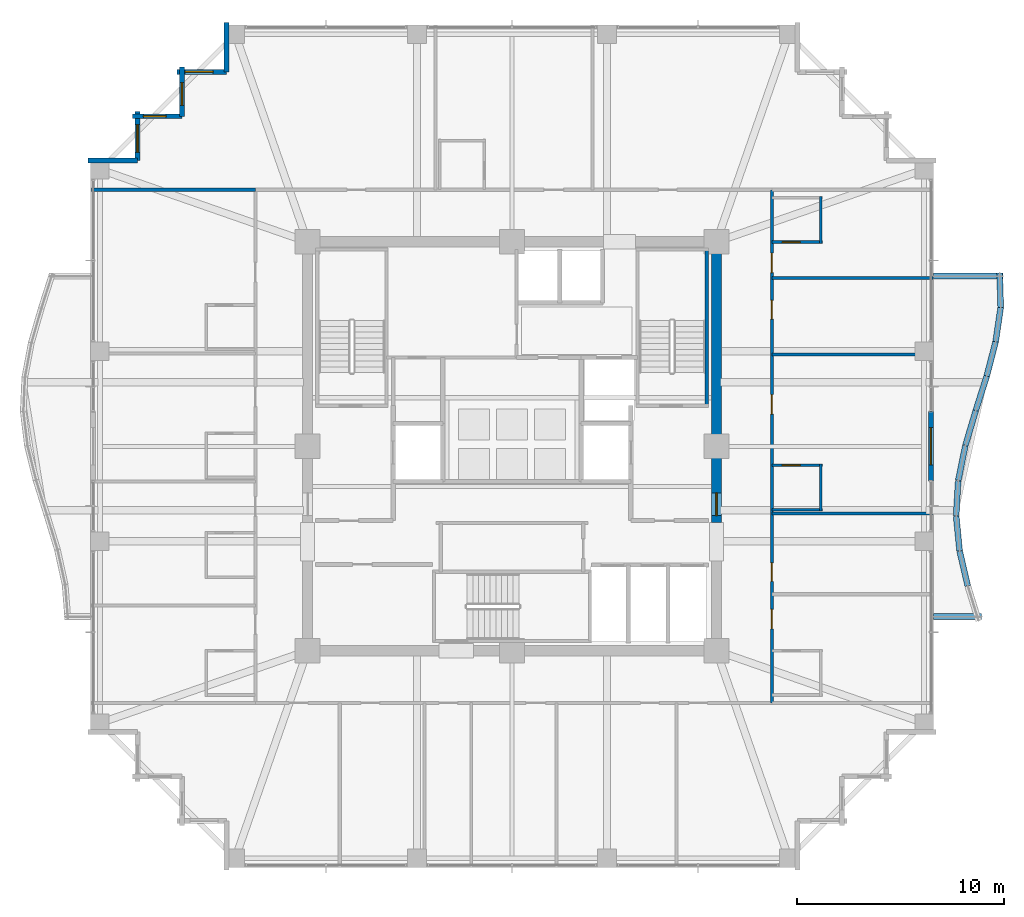
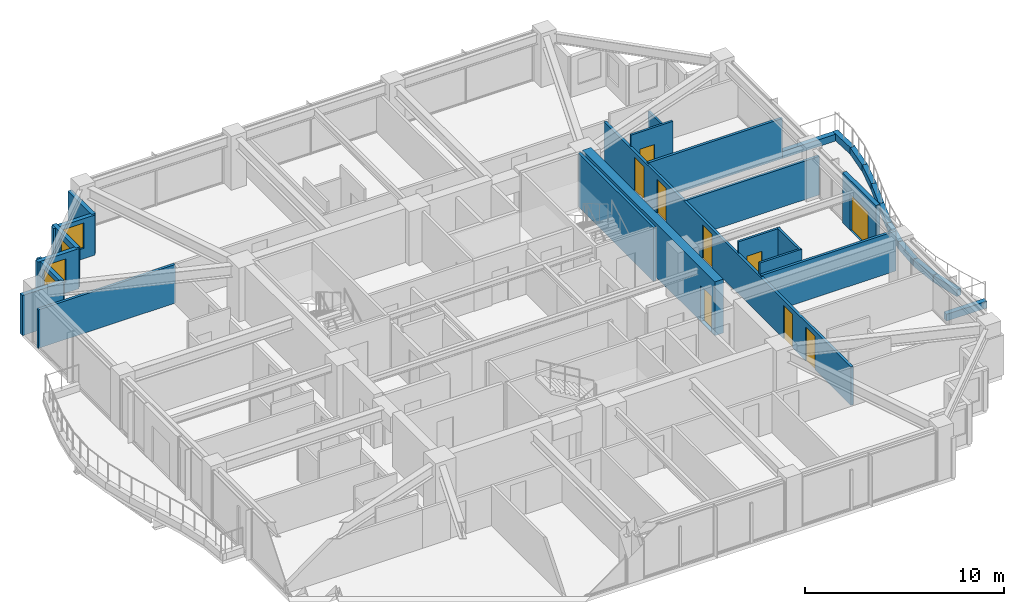
# One storey, part 31 of 34: 30 walls, 9 doors, 4 windows, 13 openings.
"""IFC4 building model written with IfcOpenShell, lengths in metres."""

from ifc_helpers import new_model, si_unit, direction, frame, frame_2d, origin, place, context, subcontext, project, spatial, rectangle, extrude, material, layer, layer_set, type_object, element, fill, save


model = new_model("IFC4")

# Units and contexts
model_context = context("Model", 3, precision=1e-05, world=origin(), true_north=direction((0.0, 1.0)))
body_context = subcontext(model_context, "Body", "Model", "MODEL_VIEW")
ifc_project = project(units=[si_unit("LENGTHUNIT", "METRE"), si_unit("AREAUNIT", "SQUARE_METRE"), si_unit("VOLUMEUNIT", "CUBIC_METRE"), si_unit("PLANEANGLEUNIT", "RADIAN"), si_unit("MASSUNIT", "GRAM", prefix="KILO")], contexts=[model_context])

# Site, building, storey
site_placement = place(None, origin())
site = spatial("IfcSite", under=ifc_project, at=site_placement, CompositionType="ELEMENT")
building_placement = place(site_placement, origin())
building = spatial("IfcBuilding", under=site, at=building_placement, Name="Kolvaren Belvedere", CompositionType="ELEMENT")
storey_placement = place(building_placement, frame((0.0, 0.0, 189.89990234375)))
storey = spatial("IfcBuildingStorey", under=building, at=storey_placement, Name="L55", CompositionType="ELEMENT", Elevation=189.89990234375)

# Wall, opening, door
ifc_material_1 = material(Name="Concrete C50/60", Category="concrete")
ifc_layer_1 = layer(ifc_material_1, 0.5)
ifc_layer_set_1 = layer_set([ifc_layer_1], Name="Concrete C50/60")
wall_type_1 = type_object("IfcWallType", Name="CW-CORE-500", PredefinedType="SHEAR", material=ifc_layer_set_1)
wall_1_placement = place(storey_placement, frame((9.89990234375, -3.699951171875, 0.0), z_axis=(0.0, 0.0, 1.0), x_axis=(0.0, 1.0, 0.0)))
wall_1 = element("IfcWall", 1, at=wall_1_placement, inside=storey, type_object=wall_type_1, Name="L55 East Core Shear Wall 2", PredefinedType="SHEAR", context=body_context, shape_type="SweptSolid", body=[
    extrude(rectangle(XDim=13.349853515625, YDim=0.5, at=frame_2d((6.6748046875, 0.0))), origin(), (0.0, 0.0, 1.0), 3.300048828125),
])
opening_1_placement = place(wall_1_placement, frame((0.35009765625, 0.0, 0.0)))
opening_1 = element("IfcOpeningElement", 2, at=opening_1_placement, cuts=wall_1, Name="Opening D-FD90", PredefinedType="OPENING", context=body_context, shape_type="SweptSolid", body=[
    extrude(rectangle(XDim=1.10009765625, YDim=2.199951171875, at=frame_2d((0.550048828125, 1.10009765625))), frame((0.0, 0.260009765625, 0.0), z_axis=(0.0, -1.0, 0.0), x_axis=(1.0, 0.0, 0.0)), (0.0, 0.0, 1.0), 0.52001953125),
])
ifc_material_2 = material(Name="Painted hollow stainless steel", Category="steel")
door_type_1 = type_object("IfcDoorType", Name="DR-FD90-1100", OperationType="NOTDEFINED", PredefinedType="DOOR", material=ifc_material_2)
door_1_placement = place(opening_1_placement, origin())
door_1 = element("IfcDoor", 3, at=door_1_placement, inside=storey, type_object=door_type_1, Name="L55 East Firefighting Lobby Fire Door", OperationType="SINGLE_SWING_RIGHT", OverallHeight=2.199951171875, OverallWidth=1.10009765625, PredefinedType="DOOR", context=body_context, shape_type="SweptSolid", body=[
    extrude(rectangle(XDim=1.10009765625, YDim=2.199951171875, at=frame_2d((0.550048828125, 1.10009765625))), frame((0.0, 0.02490234375, 0.0), z_axis=(0.0, -1.0, 0.0), x_axis=(1.0, 0.0, 0.0)), (0.0, 0.0, 1.0), 0.050048828125),
])
fill(opening_1, door_1)

# Wall
ifc_material_3 = material(Name="Concrete C50/60", Category="concrete")
ifc_layer_2 = layer(ifc_material_3, 0.159912109375)
ifc_layer_set_2 = layer_set([ifc_layer_2], Name="Concrete C50/60")
wall_type_2 = type_object("IfcWallType", Name="CW-STAIR-160", PredefinedType="SHEAR", material=ifc_layer_set_2)
wall_2_placement = place(storey_placement, frame((9.429931640625, 1.969970703125, 0.0), z_axis=(0.0, 0.0, 1.0), x_axis=(0.0, 1.0, 0.0)))
element("IfcWall", 4, at=wall_2_placement, inside=storey, type_object=wall_type_2, Name="L55 Stair ST-2 East Shear Wall", PredefinedType="SHEAR", context=body_context, shape_type="SweptSolid", body=[
    extrude(rectangle(XDim=7.56005859375, YDim=0.159912109375, at=frame_2d((3.780029296875, 0.0))), origin(), (0.0, 0.0, 1.0), 3.300048828125),
])

# Wall, openings, doors
ifc_material_4 = material(Name="Gypsum fire-rated partition assembly", Category="gypsum")
ifc_layer_3 = layer(ifc_material_4, 0.14990234375)
ifc_layer_set_3 = layer_set([ifc_layer_3], Name="Gypsum fire-rated partition assembly")
wall_type_3 = type_object("IfcWallType", Name="WL-CORR-150", PredefinedType="PARTITIONING", material=ifc_layer_set_3)
wall_3_placement = place(storey_placement, frame((12.580078125, -12.419921875, 0.0), z_axis=(0.0, 0.0, 1.0), x_axis=(0.0, 1.0, 0.0)))
wall_3 = element("IfcWall", 5, at=wall_3_placement, inside=storey, type_object=wall_type_3, Name="L55 East Corridor Wall", PredefinedType="PARTITIONING", context=body_context, shape_type="SweptSolid", body=[
    extrude(rectangle(XDim=24.83984375, YDim=0.14990234375, at=frame_2d((12.419921875, 0.0))), origin(), (0.0, 0.0, 1.0), 2.369140625),
])
opening_2_placement = place(wall_3_placement, frame((3.581298828125, 0.0, 0.0)))
opening_2 = element("IfcOpeningElement", 6, at=opening_2_placement, cuts=wall_3, Name="Opening D-FD60", PredefinedType="OPENING", context=body_context, shape_type="SweptSolid", body=[
    extrude(rectangle(XDim=0.949951171875, YDim=2.06005859375, at=frame_2d((0.47509765625, 1.030029296875))), frame((0.0, 0.0849609375, 0.0), z_axis=(0.0, -1.0, 0.0), x_axis=(1.0, 0.0, 0.0)), (0.0, 0.0, 1.0), 0.169921875),
])
opening_3_placement = place(wall_3_placement, frame((5.876953125, 0.0, 0.0)))
opening_3 = element("IfcOpeningElement", 7, at=opening_3_placement, cuts=wall_3, Name="Opening D-INT90", PredefinedType="OPENING", context=body_context, shape_type="SweptSolid", body=[
    extrude(rectangle(XDim=0.89990234375, YDim=2.06005859375, at=frame_2d((0.449951171875, 1.030029296875))), frame((0.0, 0.0849609375, 0.0), z_axis=(0.0, -1.0, 0.0), x_axis=(1.0, 0.0, 0.0)), (0.0, 0.0, 1.0), 0.169921875),
])
opening_4_placement = place(wall_3_placement, frame((13.97509765625, 0.0, 0.0)))
opening_4 = element("IfcOpeningElement", 8, at=opening_4_placement, cuts=wall_3, Name="Opening D-FD60", PredefinedType="OPENING", context=body_context, shape_type="SweptSolid", body=[
    extrude(rectangle(XDim=0.949951171875, YDim=2.06005859375, at=frame_2d((0.47509765625, 1.030029296875))), frame((0.0, 0.0849609375, 0.0), z_axis=(0.0, -1.0, 0.0), x_axis=(1.0, 0.0, 0.0)), (0.0, 0.0, 1.0), 0.169921875),
])
opening_5_placement = place(wall_3_placement, frame((18.58056640625, 0.0, 0.0)))
opening_5 = element("IfcOpeningElement", 9, at=opening_5_placement, cuts=wall_3, Name="Opening D-INT90", PredefinedType="OPENING", context=body_context, shape_type="SweptSolid", body=[
    extrude(rectangle(XDim=0.89990234375, YDim=2.06005859375, at=frame_2d((0.449951171875, 1.030029296875))), frame((0.0, 0.0849609375, 0.0), z_axis=(0.0, -1.0, 0.0), x_axis=(1.0, 0.0, 0.0)), (0.0, 0.0, 1.0), 0.169921875),
])
opening_6_placement = place(wall_3_placement, frame((20.826171875, 0.0, 0.0)))
opening_6 = element("IfcOpeningElement", 10, at=opening_6_placement, cuts=wall_3, Name="Opening D-FD60", PredefinedType="OPENING", context=body_context, shape_type="SweptSolid", body=[
    extrude(rectangle(XDim=0.949951171875, YDim=2.06005859375, at=frame_2d((0.47509765625, 1.030029296875))), frame((0.0, 0.0849609375, 0.0), z_axis=(0.0, -1.0, 0.0), x_axis=(1.0, 0.0, 0.0)), (0.0, 0.0, 1.0), 0.169921875),
])
ifc_material_5 = material(Name="Acoustic white-oak fire door leaf", Category="timber")
door_type_2 = type_object("IfcDoorType", Name="DR-FD60-950", OperationType="NOTDEFINED", PredefinedType="DOOR", material=ifc_material_5)
door_2_placement = place(opening_2_placement, origin())
door_2 = element("IfcDoor", 11, at=door_2_placement, inside=storey, type_object=door_type_2, Name="L55 Twin Guest Room 5505 Entry Door", OperationType="SINGLE_SWING_RIGHT", OverallHeight=2.06005859375, OverallWidth=0.949951171875, PredefinedType="DOOR", context=body_context, shape_type="SweptSolid", body=[
    extrude(rectangle(XDim=0.949951171875, YDim=2.06005859375, at=frame_2d((0.47509765625, 1.030029296875))), frame((0.0, 0.02490234375, 0.0), z_axis=(0.0, -1.0, 0.0), x_axis=(1.0, 0.0, 0.0)), (0.0, 0.0, 1.0), 0.050048828125),
])
fill(opening_2, door_2)
door_3_placement = place(opening_4_placement, origin())
door_3 = element("IfcDoor", 12, at=door_3_placement, inside=storey, type_object=door_type_2, Name="L55 Twin Guest Room 5507 Entry Door", OperationType="SINGLE_SWING_LEFT", OverallHeight=2.06005859375, OverallWidth=0.949951171875, PredefinedType="DOOR", context=body_context, shape_type="SweptSolid", body=[
    extrude(rectangle(XDim=0.949951171875, YDim=2.06005859375, at=frame_2d((0.47509765625, 1.030029296875))), frame((0.0, 0.02490234375, 0.0), z_axis=(0.0, -1.0, 0.0), x_axis=(1.0, 0.0, 0.0)), (0.0, 0.0, 1.0), 0.050048828125),
])
fill(opening_4, door_3)
door_4_placement = place(opening_6_placement, origin())
door_4 = element("IfcDoor", 13, at=door_4_placement, inside=storey, type_object=door_type_2, Name="L55 Twin Guest Room 5509 Entry Door", OperationType="SINGLE_SWING_RIGHT", OverallHeight=2.06005859375, OverallWidth=0.949951171875, PredefinedType="DOOR", context=body_context, shape_type="SweptSolid", body=[
    extrude(rectangle(XDim=0.949951171875, YDim=2.06005859375, at=frame_2d((0.47509765625, 1.030029296875))), frame((0.0, 0.02490234375, 0.0), z_axis=(0.0, -1.0, 0.0), x_axis=(1.0, 0.0, 0.0)), (0.0, 0.0, 1.0), 0.050048828125),
])
fill(opening_6, door_4)
ifc_material_6 = material(Name="Stained Pacific white oak", Category="timber")
door_type_3 = type_object("IfcDoorType", Name="DR-INT-900", OperationType="NOTDEFINED", PredefinedType="DOOR", material=ifc_material_6)
door_5_placement = place(opening_3_placement, origin())
door_5 = element("IfcDoor", 14, at=door_5_placement, inside=storey, type_object=door_type_3, Name="L55 Lounge 5506 Door", OperationType="SINGLE_SWING_LEFT", OverallHeight=2.06005859375, OverallWidth=0.89990234375, PredefinedType="DOOR", context=body_context, shape_type="SweptSolid", body=[
    extrude(rectangle(XDim=0.89990234375, YDim=2.06005859375, at=frame_2d((0.449951171875, 1.030029296875))), frame((0.0, 0.02490234375, 0.0), z_axis=(0.0, -1.0, 0.0), x_axis=(1.0, 0.0, 0.0)), (0.0, 0.0, 1.0), 0.050048828125),
])
fill(opening_3, door_5)
door_6_placement = place(opening_5_placement, origin())
door_6 = element("IfcDoor", 15, at=door_6_placement, inside=storey, type_object=door_type_3, Name="L55 Lounge 5508 Door", OperationType="SINGLE_SWING_RIGHT", OverallHeight=2.06005859375, OverallWidth=0.89990234375, PredefinedType="DOOR", context=body_context, shape_type="SweptSolid", body=[
    extrude(rectangle(XDim=0.89990234375, YDim=2.06005859375, at=frame_2d((0.449951171875, 1.030029296875))), frame((0.0, 0.02490234375, 0.0), z_axis=(0.0, -1.0, 0.0), x_axis=(1.0, 0.0, 0.0)), (0.0, 0.0, 1.0), 0.050048828125),
])
fill(opening_5, door_6)

# Wall, opening, door
ifc_material_7 = material(Name="Insulated pale-metal facade wall assembly", Category="aluminium")
ifc_layer_4 = layer(ifc_material_7, 0.239990234375)
ifc_layer_set_4 = layer_set([ifc_layer_4], Name="Insulated pale-metal facade wall assembly")
wall_type_4 = type_object("IfcWallType", Name="WL-EXT-240", PredefinedType="STANDARD", material=ifc_layer_set_4)
wall_4_placement = place(storey_placement, frame((20.280029296875, 1.679931640625, 0.0), z_axis=(0.0, 0.0, 1.0), x_axis=(0.0, -1.0, 0.0)))
wall_4 = element("IfcWall", 16, at=wall_4_placement, inside=storey, type_object=wall_type_4, Name="L55 East Terrace Portal Wall", PredefinedType="STANDARD", context=body_context, shape_type="SweptSolid", body=[
    extrude(rectangle(XDim=3.35986328125, YDim=0.239990234375, at=frame_2d((1.679931640625, 0.0))), origin(), (0.0, 0.0, 1.0), 3.080078125),
])
opening_7_placement = place(wall_4_placement, frame((0.780029296875, 0.0, 0.0)))
opening_7 = element("IfcOpeningElement", 17, at=opening_7_placement, cuts=wall_4, Name="Opening DB-1800", PredefinedType="OPENING", context=body_context, shape_type="SweptSolid", body=[
    extrude(rectangle(XDim=1.800048828125, YDim=2.199951171875, at=frame_2d((0.89990234375, 1.10009765625))), frame((0.0, 0.1298828125, 0.0), z_axis=(0.0, -1.0, 0.0), x_axis=(1.0, 0.0, 0.0)), (0.0, 0.0, 1.0), 0.260009765625),
])
ifc_material_8 = material(Name="Thermally broken pale-metal aluminium & low-iron glass", Category="aluminium")
door_type_4 = type_object("IfcDoorType", Name="DR-BAL-1800", OperationType="DOUBLE_DOOR_SLIDING", PredefinedType="DOOR", material=ifc_material_8)
door_7_placement = place(opening_7_placement, origin())
door_7 = element("IfcDoor", 18, at=door_7_placement, inside=storey, type_object=door_type_4, Name="L55 East Planted Terrace Sliding Door", OperationType="DOUBLE_DOOR_SLIDING", OverallHeight=2.199951171875, OverallWidth=1.800048828125, PredefinedType="DOOR", context=body_context, shape_type="SweptSolid", body=[
    extrude(rectangle(XDim=1.800048828125, YDim=2.199951171875, at=frame_2d((0.89990234375, 1.10009765625))), frame((0.0, 0.02490234375, 0.0), z_axis=(0.0, -1.0, 0.0), x_axis=(1.0, 0.0, 0.0)), (0.0, 0.0, 1.0), 0.050048828125),
])
fill(opening_7, door_7)

# Wall
wall_5_placement = place(storey_placement, frame((-13.830078125, 18.1298828125, 0.0), z_axis=(0.0, 0.0, 1.0), x_axis=(0.0, 1.0, 0.0)))
element("IfcWall", 19, at=wall_5_placement, inside=storey, type_object=wall_type_4, Name="L55 Serrated Corner Facade Wall 16", PredefinedType="STANDARD", context=body_context, shape_type="SweptSolid", body=[
    extrude(rectangle(XDim=2.39013671875, YDim=0.239990234375, at=frame_2d((1.195068359375, 0.0))), origin(), (0.0, 0.0, 1.0), 2.463134765625),
])

# Wall, opening, window
wall_6_placement = place(storey_placement, frame((-16.219970703125, 18.1298828125, 0.0), z_axis=(0.0, 0.0, 1.0), x_axis=(1.0, 0.0, 0.0)))
wall_6 = element("IfcWall", 20, at=wall_6_placement, inside=storey, type_object=wall_type_4, Name="L55 Serrated Corner Facade Wall 17", PredefinedType="STANDARD", context=body_context, shape_type="SweptSolid", body=[
    extrude(rectangle(XDim=2.389892578125, YDim=0.239990234375, at=frame_2d((1.19482421875, 0.0))), origin(), (0.0, 0.0, 1.0), 2.463134765625),
])
opening_8_placement = place(wall_6_placement, frame((0.39990234375, 0.0, 0.64990234375)))
opening_8 = element("IfcOpeningElement", 21, at=opening_8_placement, cuts=wall_6, Name="Opening W-1350", PredefinedType="OPENING", context=body_context, shape_type="SweptSolid", body=[
    extrude(rectangle(XDim=1.35009765625, YDim=1.550048828125, at=frame_2d((0.675048828125, 0.77490234375))), frame((0.0, 0.1298828125, 0.0), z_axis=(0.0, -1.0, 0.0), x_axis=(1.0, 0.0, 0.0)), (0.0, 0.0, 1.0), 0.260009765625),
])
ifc_material_9 = material(Name="Low-iron triple insulated glass", Category="glass")
window_type_1 = type_object("IfcWindowType", Name="WN-CORN-1350", PartitioningType="SINGLE_PANEL", PredefinedType="WINDOW", material=ifc_material_9)
window_1_placement = place(opening_8_placement, origin())
window_1 = element("IfcWindow", 22, at=window_1_placement, inside=storey, type_object=window_type_1, Name="L55 Serrated Corner Vision Window 17", OverallHeight=1.550048828125, OverallWidth=1.35009765625, PartitioningType="SINGLE_PANEL", PredefinedType="WINDOW", context=body_context, shape_type="SweptSolid", body=[
    extrude(rectangle(XDim=1.35009765625, YDim=1.550048828125, at=frame_2d((0.675048828125, 0.77490234375))), frame((0.0, 0.030029296875, 0.0), z_axis=(0.0, -1.0, 0.0), x_axis=(1.0, 0.0, 0.0)), (0.0, 0.0, 1.0), 0.06005859375),
])
fill(opening_8, window_1)

wall_7_placement = place(storey_placement, frame((-15.97998046875, 15.97998046875, 0.0), z_axis=(0.0, 0.0, 1.0), x_axis=(0.0, 1.0, 0.0)))
wall_7 = element("IfcWall", 23, at=wall_7_placement, inside=storey, type_object=wall_type_4, Name="L55 Serrated Corner Facade Wall 18", PredefinedType="STANDARD", context=body_context, shape_type="SweptSolid", body=[
    extrude(rectangle(XDim=2.39013671875, YDim=0.239990234375, at=frame_2d((1.195068359375, 0.0))), origin(), (0.0, 0.0, 1.0), 2.463134765625),
])
opening_9_placement = place(wall_7_placement, frame((0.52490234375, 0.0, 0.64990234375)))
opening_9 = element("IfcOpeningElement", 24, at=opening_9_placement, cuts=wall_7, Name="Opening W-1100", PredefinedType="OPENING", context=body_context, shape_type="SweptSolid", body=[
    extrude(rectangle(XDim=1.10009765625, YDim=1.449951171875, at=frame_2d((0.550048828125, 0.72509765625))), frame((0.0, 0.1298828125, 0.0), z_axis=(0.0, -1.0, 0.0), x_axis=(1.0, 0.0, 0.0)), (0.0, 0.0, 1.0), 0.260009765625),
])
ifc_material_10 = material(Name="Low-iron triple insulated glass", Category="glass")
window_type_2 = type_object("IfcWindowType", Name="WN-CORN-1100", PartitioningType="SINGLE_PANEL", PredefinedType="WINDOW", material=ifc_material_10)
window_2_placement = place(opening_9_placement, origin())
window_2 = element("IfcWindow", 25, at=window_2_placement, inside=storey, type_object=window_type_2, Name="L55 Serrated Corner Vision Window 18", OverallHeight=1.449951171875, OverallWidth=1.10009765625, PartitioningType="SINGLE_PANEL", PredefinedType="WINDOW", context=body_context, shape_type="SweptSolid", body=[
    extrude(rectangle(XDim=1.10009765625, YDim=1.449951171875, at=frame_2d((0.550048828125, 0.72509765625))), frame((0.0, 0.030029296875, 0.0), z_axis=(0.0, -1.0, 0.0), x_axis=(1.0, 0.0, 0.0)), (0.0, 0.0, 1.0), 0.06005859375),
])
fill(opening_9, window_2)

wall_8_placement = place(storey_placement, frame((-18.3701171875, 15.97998046875, 0.0), z_axis=(0.0, 0.0, 1.0), x_axis=(1.0, 0.0, 0.0)))
wall_8 = element("IfcWall", 26, at=wall_8_placement, inside=storey, type_object=wall_type_4, Name="L55 Serrated Corner Facade Wall 19", PredefinedType="STANDARD", context=body_context, shape_type="SweptSolid", body=[
    extrude(rectangle(XDim=2.39013671875, YDim=0.239990234375, at=frame_2d((1.195068359375, 0.0))), origin(), (0.0, 0.0, 1.0), 2.463134765625),
])
opening_10_placement = place(wall_8_placement, frame((0.52490234375, 0.0, 0.64990234375)))
opening_10 = element("IfcOpeningElement", 27, at=opening_10_placement, cuts=wall_8, Name="Opening W-1100", PredefinedType="OPENING", context=body_context, shape_type="SweptSolid", body=[
    extrude(rectangle(XDim=1.10009765625, YDim=1.449951171875, at=frame_2d((0.550048828125, 0.72509765625))), frame((0.0, 0.1298828125, 0.0), z_axis=(0.0, -1.0, 0.0), x_axis=(1.0, 0.0, 0.0)), (0.0, 0.0, 1.0), 0.260009765625),
])
window_3_placement = place(opening_10_placement, origin())
window_3 = element("IfcWindow", 28, at=window_3_placement, inside=storey, type_object=window_type_2, Name="L55 Serrated Corner Vision Window 19", OverallHeight=1.449951171875, OverallWidth=1.10009765625, PartitioningType="SINGLE_PANEL", PredefinedType="WINDOW", context=body_context, shape_type="SweptSolid", body=[
    extrude(rectangle(XDim=1.10009765625, YDim=1.449951171875, at=frame_2d((0.550048828125, 0.72509765625))), frame((0.0, 0.030029296875, 0.0), z_axis=(0.0, -1.0, 0.0), x_axis=(1.0, 0.0, 0.0)), (0.0, 0.0, 1.0), 0.06005859375),
])
fill(opening_10, window_3)

wall_9_placement = place(storey_placement, frame((-18.1298828125, 13.830078125, 0.0), z_axis=(0.0, 0.0, 1.0), x_axis=(0.0, 1.0, 0.0)))
wall_9 = element("IfcWall", 29, at=wall_9_placement, inside=storey, type_object=wall_type_4, Name="L55 Serrated Corner Facade Wall 20", PredefinedType="STANDARD", context=body_context, shape_type="SweptSolid", body=[
    extrude(rectangle(XDim=2.389892578125, YDim=0.239990234375, at=frame_2d((1.19482421875, 0.0))), origin(), (0.0, 0.0, 1.0), 2.463134765625),
])
opening_11_placement = place(wall_9_placement, frame((0.39990234375, 0.0, 0.64990234375)))
opening_11 = element("IfcOpeningElement", 30, at=opening_11_placement, cuts=wall_9, Name="Opening W-1350", PredefinedType="OPENING", context=body_context, shape_type="SweptSolid", body=[
    extrude(rectangle(XDim=1.35009765625, YDim=1.550048828125, at=frame_2d((0.675048828125, 0.77490234375))), frame((0.0, 0.1298828125, 0.0), z_axis=(0.0, -1.0, 0.0), x_axis=(1.0, 0.0, 0.0)), (0.0, 0.0, 1.0), 0.260009765625),
])
window_4_placement = place(opening_11_placement, origin())
window_4 = element("IfcWindow", 31, at=window_4_placement, inside=storey, type_object=window_type_1, Name="L55 Serrated Corner Vision Window 20", OverallHeight=1.550048828125, OverallWidth=1.35009765625, PartitioningType="SINGLE_PANEL", PredefinedType="WINDOW", context=body_context, shape_type="SweptSolid", body=[
    extrude(rectangle(XDim=1.35009765625, YDim=1.550048828125, at=frame_2d((0.675048828125, 0.77490234375))), frame((0.0, 0.030029296875, 0.0), z_axis=(0.0, -1.0, 0.0), x_axis=(1.0, 0.0, 0.0)), (0.0, 0.0, 1.0), 0.06005859375),
])
fill(opening_11, window_4)

# Walls
wall_10_placement = place(storey_placement, frame((-20.52001953125, 13.830078125, 0.0), z_axis=(0.0, 0.0, 1.0), x_axis=(1.0, 0.0, 0.0)))
element("IfcWall", 32, at=wall_10_placement, inside=storey, type_object=wall_type_4, Name="L55 Serrated Corner Facade Wall 21", PredefinedType="STANDARD", context=body_context, shape_type="SweptSolid", body=[
    extrude(rectangle(XDim=2.39013671875, YDim=0.239990234375, at=frame_2d((1.195068359375, 0.0))), origin(), (0.0, 0.0, 1.0), 2.463134765625),
])
ifc_material_11 = material(Name="Gypsum acoustic partition assembly", Category="gypsum")
ifc_layer_5 = layer(ifc_material_11, 0.14990234375)
ifc_layer_set_5 = layer_set([ifc_layer_5], Name="Gypsum acoustic partition assembly")
wall_type_5 = type_object("IfcWallType", Name="WL-PART-150", PredefinedType="PARTITIONING", material=ifc_layer_set_5)
wall_11_placement = place(storey_placement, frame((-20.3798828125, 12.419921875, 0.0), z_axis=(0.0, 0.0, 1.0), x_axis=(1.0, 0.0, 0.0)))
element("IfcWall", 33, at=wall_11_placement, inside=storey, type_object=wall_type_5, Name="L55 Wing Divider PW-L55-QNW", PredefinedType="PARTITIONING", context=body_context, shape_type="SweptSolid", body=[
    extrude(rectangle(XDim=7.9599609375, YDim=0.14990234375, at=frame_2d((3.97998046875, 0.0))), origin(), (0.0, 0.0, 1.0), 2.369140625),
])
wall_12_placement = place(storey_placement, frame((12.580078125, -3.260009765625, 0.0), z_axis=(0.0, 0.0, 1.0), x_axis=(1.0, 0.0, 0.0)))
element("IfcWall", 34, at=wall_12_placement, inside=storey, type_object=wall_type_5, Name="L55 East Suite Demising Wall 2", PredefinedType="PARTITIONING", context=body_context, shape_type="SweptSolid", body=[
    extrude(rectangle(XDim=7.7998046875, YDim=0.14990234375, at=frame_2d((3.89990234375, 0.0))), origin(), (0.0, 0.0, 1.0), 2.453125),
])
wall_13_placement = place(storey_placement, frame((12.580078125, 4.43994140625, 0.0), z_axis=(0.0, 0.0, 1.0), x_axis=(1.0, 0.0, 0.0)))
element("IfcWall", 35, at=wall_13_placement, inside=storey, type_object=wall_type_5, Name="L55 East Suite Demising Wall 3", PredefinedType="PARTITIONING", context=body_context, shape_type="SweptSolid", body=[
    extrude(rectangle(XDim=7.7998046875, YDim=0.14990234375, at=frame_2d((3.89990234375, 0.0))), origin(), (0.0, 0.0, 1.0), 2.369140625),
])
wall_14_placement = place(storey_placement, frame((12.580078125, 8.139892578125, 0.0), z_axis=(0.0, 0.0, 1.0), x_axis=(1.0, 0.0, 0.0)))
element("IfcWall", 36, at=wall_14_placement, inside=storey, type_object=wall_type_5, Name="L55 East Suite Demising Wall 4", PredefinedType="PARTITIONING", context=body_context, shape_type="SweptSolid", body=[
    extrude(rectangle(XDim=7.7998046875, YDim=0.14990234375, at=frame_2d((3.89990234375, 0.0))), origin(), (0.0, 0.0, 1.0), 2.453125),
])
ifc_material_12 = material(Name="Precast concrete C40/50", Category="concrete")
ifc_layer_6 = layer(ifc_material_12, 0.300048828125)
ifc_layer_set_6 = layer_set([ifc_layer_6], Name="Precast concrete C40/50")
wall_type_6 = type_object("IfcWallType", Name="WL-PLANTER-300", PredefinedType="PARAPET", material=ifc_layer_set_6)
wall_15_placement = place(storey_placement, frame((22.06396484375, -6.75634765625, -0.039794921875), z_axis=(0.0, 0.0, 1.0), x_axis=(-0.227019323824, 0.973890253884, 0.0)))
element("IfcWall", 37, at=wall_15_placement, inside=storey, type_object=wall_type_6, Name="L55 Precast Structural Planter Wall BAL-E-2", PredefinedType="PARAPET", context=body_context, shape_type="SweptSolid", body=[
    extrude(rectangle(XDim=1.724853515625, YDim=0.280029296875, at=frame_2d((0.8623046875, 0.0))), origin(), (0.0, 0.0, 1.0), 0.419921875),
])
wall_16_placement = place(storey_placement, frame((21.6689453125, -5.0556640625, -0.039794921875), z_axis=(0.0, 0.0, 1.0), x_axis=(-0.098343801694, 0.995152499202, 0.0)))
element("IfcWall", 38, at=wall_16_placement, inside=storey, type_object=wall_type_6, Name="L55 Precast Structural Planter Wall BAL-E-3", PredefinedType="PARAPET", context=body_context, shape_type="SweptSolid", body=[
    extrude(rectangle(XDim=1.688232421875, YDim=0.280029296875, at=frame_2d((0.84423828125, 0.0))), origin(), (0.0, 0.0, 1.0), 0.419921875),
])
wall_17_placement = place(storey_placement, frame((21.50244140625, -3.350341796875, -0.039794921875), z_axis=(0.0, 0.0, 1.0), x_axis=(0.059767979379, 0.998212296378, 0.0)))
element("IfcWall", 39, at=wall_17_placement, inside=storey, type_object=wall_type_6, Name="L55 Precast Structural Planter Wall BAL-E-4", PredefinedType="PARAPET", context=body_context, shape_type="SweptSolid", body=[
    extrude(rectangle(XDim=1.682861328125, YDim=0.280029296875, at=frame_2d((0.84130859375, 0.0))), origin(), (0.0, 0.0, 1.0), 0.419921875),
])
wall_18_placement = place(storey_placement, frame((21.60595703125, -1.64794921875, -0.039794921875), z_axis=(0.0, 0.0, 1.0), x_axis=(0.199784246163, 0.979839912937, 0.0)))
element("IfcWall", 40, at=wall_18_placement, inside=storey, type_object=wall_type_6, Name="L55 Precast Structural Planter Wall BAL-E-5", PredefinedType="PARAPET", context=body_context, shape_type="SweptSolid", body=[
    extrude(rectangle(XDim=1.714599609375, YDim=0.280029296875, at=frame_2d((0.857421875, 0.0))), origin(), (0.0, 0.0, 1.0), 0.419921875),
])
wall_19_placement = place(storey_placement, frame((21.951904296875, 0.045654296875, -0.039794921875), z_axis=(0.0, 0.0, 1.0), x_axis=(0.284880325779, 0.95856309129, 0.0)))
element("IfcWall", 41, at=wall_19_placement, inside=storey, type_object=wall_type_6, Name="L55 Precast Structural Planter Wall BAL-E-6", PredefinedType="PARAPET", context=body_context, shape_type="SweptSolid", body=[
    extrude(rectangle(XDim=1.75244140625, YDim=0.280029296875, at=frame_2d((0.876220703125, 0.0))), origin(), (0.0, 0.0, 1.0), 0.419921875),
])
wall_20_placement = place(storey_placement, frame((22.4521484375, 1.728515625, -0.039794921875), z_axis=(0.0, 0.0, 1.0), x_axis=(0.302397356111, 0.953181954832, 0.0)))
element("IfcWall", 42, at=wall_20_placement, inside=storey, type_object=wall_type_6, Name="L55 Precast Structural Planter Wall BAL-E-7", PredefinedType="PARAPET", context=body_context, shape_type="SweptSolid", body=[
    extrude(rectangle(XDim=1.762451171875, YDim=0.280029296875, at=frame_2d((0.88134765625, 0.0))), origin(), (0.0, 0.0, 1.0), 0.419921875),
])
wall_21_placement = place(storey_placement, frame((22.982666015625, 3.400146484375, -0.039794921875), z_axis=(0.0, 0.0, 1.0), x_axis=(0.250439664624, 0.968132209145, 0.0)))
element("IfcWall", 43, at=wall_21_placement, inside=storey, type_object=wall_type_6, Name="L55 Precast Structural Planter Wall BAL-E-8", PredefinedType="PARAPET", context=body_context, shape_type="SweptSolid", body=[
    extrude(rectangle(XDim=1.7353515625, YDim=0.280029296875, at=frame_2d((0.86767578125, 0.0))), origin(), (0.0, 0.0, 1.0), 0.419921875),
])
wall_22_placement = place(storey_placement, frame((23.413818359375, 5.063232421875, -0.039794921875), z_axis=(0.0, 0.0, 1.0), x_axis=(0.145907826437, 0.98929818871, 0.0)))
element("IfcWall", 44, at=wall_22_placement, inside=storey, type_object=wall_type_6, Name="L55 Precast Structural Planter Wall BAL-E-9", PredefinedType="PARAPET", context=body_context, shape_type="SweptSolid", body=[
    extrude(rectangle(XDim=1.6982421875, YDim=0.280029296875, at=frame_2d((0.84912109375, 0.0))), origin(), (0.0, 0.0, 1.0), 0.419921875),
])
wall_23_placement = place(storey_placement, frame((23.66015625, 6.715087890625, -0.039794921875), z_axis=(0.0, 0.0, 1.0), x_axis=(-0.031520443874, 0.999503107358, 0.0)))
element("IfcWall", 45, at=wall_23_placement, inside=storey, type_object=wall_type_6, Name="L55 Precast Structural Planter Wall BAL-E-10", PredefinedType="PARAPET", context=body_context, shape_type="SweptSolid", body=[
    extrude(rectangle(XDim=1.6806640625, YDim=0.280029296875, at=frame_2d((0.84033203125, 0.0))), origin(), (0.0, 0.0, 1.0), 0.419921875),
])
wall_24_placement = place(storey_placement, frame((23.76708984375, 8.239990234375, -0.039794921875), z_axis=(0.0, 0.0, 1.0), x_axis=(-1.0, 0.0, 0.0)))
element("IfcWall", 46, at=wall_24_placement, inside=storey, type_object=wall_type_6, Name="L55 Precast Structural Planter Wall BAL-E-11", PredefinedType="PARAPET", context=body_context, shape_type="SweptSolid", body=[
    extrude(rectangle(XDim=3.3671875, YDim=0.280029296875, at=frame_2d((1.68359375, 0.0))), origin(), (0.0, 0.0, 1.0), 0.419921875),
])
wall_25_placement = place(storey_placement, frame((20.39990234375, -8.239990234375, -0.039794921875), z_axis=(0.0, 0.0, 1.0), x_axis=(1.0, 0.0, 0.0)))
element("IfcWall", 47, at=wall_25_placement, inside=storey, type_object=wall_type_6, Name="L55 Precast Structural Planter Wall BAL-E-22", PredefinedType="PARAPET", context=body_context, shape_type="SweptSolid", body=[
    extrude(rectangle(XDim=2.340087890625, YDim=0.280029296875, at=frame_2d((1.169921875, 0.0))), origin(), (0.0, 0.0, 1.0), 0.419921875),
])

# Wall, opening, door
ifc_material_13 = material(Name="Moisture-resistant gypsum partition", Category="gypsum")
ifc_layer_7 = layer(ifc_material_13, 0.125)
ifc_layer_set_7 = layer_set([ifc_layer_7], Name="Moisture-resistant gypsum partition")
wall_type_7 = type_object("IfcWallType", Name="WL-WET-125", PredefinedType="PARTITIONING", material=ifc_layer_set_7)
wall_26_placement = place(storey_placement, frame((12.594970703125, -0.9150390625, 0.0), z_axis=(0.0, 0.0, 1.0), x_axis=(1.0, 0.0, 0.0)))
wall_26 = element("IfcWall", 48, at=wall_26_placement, inside=storey, type_object=wall_type_7, Name="L55 Bathroom Partition PW-L55-BTH-7-N", PredefinedType="PARTITIONING", context=body_context, shape_type="SweptSolid", body=[
    extrude(rectangle(XDim=2.43994140625, YDim=0.125, at=frame_2d((1.219970703125, 0.0))), origin(), (0.0, 0.0, 1.0), 3.080078125),
])
opening_12_placement = place(wall_26_placement, frame((0.5, 0.0, 0.0)))
opening_12 = element("IfcOpeningElement", 49, at=opening_12_placement, cuts=wall_26, Name="Opening D-BTH85", PredefinedType="OPENING", context=body_context, shape_type="SweptSolid", body=[
    extrude(rectangle(XDim=0.85009765625, YDim=2.030029296875, at=frame_2d((0.425048828125, 1.01513671875))), frame((0.0, 0.072509765625, 0.0), z_axis=(0.0, -1.0, 0.0), x_axis=(1.0, 0.0, 0.0)), (0.0, 0.0, 1.0), 0.14501953125),
])
ifc_material_14 = material(Name="Moisture-sealed Pacific white oak", Category="timber")
door_type_5 = type_object("IfcDoorType", Name="DR-BATH-850", OperationType="NOTDEFINED", PredefinedType="DOOR", material=ifc_material_14)
door_8_placement = place(opening_12_placement, origin())
door_8 = element("IfcDoor", 50, at=door_8_placement, inside=storey, type_object=door_type_5, Name="L55 En-Suite Bathroom 5507 Door", OperationType="SINGLE_SWING_RIGHT", OverallHeight=2.030029296875, OverallWidth=0.85009765625, PredefinedType="DOOR", context=body_context, shape_type="SweptSolid", body=[
    extrude(rectangle(XDim=0.85009765625, YDim=2.030029296875, at=frame_2d((0.425048828125, 1.01513671875))), frame((0.0, 0.02490234375, 0.0), z_axis=(0.0, -1.0, 0.0), x_axis=(1.0, 0.0, 0.0)), (0.0, 0.0, 1.0), 0.050048828125),
])
fill(opening_12, door_8)

# Walls
wall_27_placement = place(storey_placement, frame((14.955078125, -3.125, 0.0), z_axis=(0.0, 0.0, 1.0), x_axis=(0.0, 1.0, 0.0)))
element("IfcWall", 51, at=wall_27_placement, inside=storey, type_object=wall_type_7, Name="L55 Bathroom Partition PW-L55-BTH-7-V", PredefinedType="PARTITIONING", context=body_context, shape_type="SweptSolid", body=[
    extrude(rectangle(XDim=2.27001953125, YDim=0.125, at=frame_2d((1.135009765625, 0.0))), origin(), (0.0, 0.0, 1.0), 3.080078125),
])
wall_28_placement = place(storey_placement, frame((12.594970703125, -3.06494140625, 0.0), z_axis=(0.0, 0.0, 1.0), x_axis=(1.0, 0.0, 0.0)))
element("IfcWall", 52, at=wall_28_placement, inside=storey, type_object=wall_type_7, Name="L55 Bathroom Partition PW-L55-BTH-7-S", PredefinedType="PARTITIONING", context=body_context, shape_type="SweptSolid", body=[
    extrude(rectangle(XDim=2.43994140625, YDim=0.125, at=frame_2d((1.219970703125, 0.0))), origin(), (0.0, 0.0, 1.0), 3.080078125),
])

# Wall, opening, door
wall_29_placement = place(storey_placement, frame((12.594970703125, 9.89111328125, 0.0), z_axis=(0.0, 0.0, 1.0), x_axis=(1.0, 0.0, 0.0)))
wall_29 = element("IfcWall", 53, at=wall_29_placement, inside=storey, type_object=wall_type_7, Name="L55 Bathroom Partition PW-L55-BTH-9-N", PredefinedType="PARTITIONING", context=body_context, shape_type="SweptSolid", body=[
    extrude(rectangle(XDim=2.43994140625, YDim=0.125, at=frame_2d((1.219970703125, 0.0))), origin(), (0.0, 0.0, 1.0), 3.080078125),
])
opening_13_placement = place(wall_29_placement, frame((0.5, 0.0, 0.0)))
opening_13 = element("IfcOpeningElement", 54, at=opening_13_placement, cuts=wall_29, Name="Opening D-BTH85", PredefinedType="OPENING", context=body_context, shape_type="SweptSolid", body=[
    extrude(rectangle(XDim=0.85009765625, YDim=2.030029296875, at=frame_2d((0.425048828125, 1.01513671875))), frame((0.0, 0.072509765625, 0.0), z_axis=(0.0, -1.0, 0.0), x_axis=(1.0, 0.0, 0.0)), (0.0, 0.0, 1.0), 0.14501953125),
])
door_9_placement = place(opening_13_placement, origin())
door_9 = element("IfcDoor", 55, at=door_9_placement, inside=storey, type_object=door_type_5, Name="L55 En-Suite Bathroom 5509 Door", OperationType="SINGLE_SWING_LEFT", OverallHeight=2.030029296875, OverallWidth=0.85009765625, PredefinedType="DOOR", context=body_context, shape_type="SweptSolid", body=[
    extrude(rectangle(XDim=0.85009765625, YDim=2.030029296875, at=frame_2d((0.425048828125, 1.01513671875))), frame((0.0, 0.02490234375, 0.0), z_axis=(0.0, -1.0, 0.0), x_axis=(1.0, 0.0, 0.0)), (0.0, 0.0, 1.0), 0.050048828125),
])
fill(opening_13, door_9)

# Wall
wall_30_placement = place(storey_placement, frame((14.955078125, 9.8310546875, 0.0), z_axis=(0.0, 0.0, 1.0), x_axis=(0.0, 1.0, 0.0)))
element("IfcWall", 56, at=wall_30_placement, inside=storey, type_object=wall_type_7, Name="L55 Bathroom Partition PW-L55-BTH-9-V", PredefinedType="PARTITIONING", context=body_context, shape_type="SweptSolid", body=[
    extrude(rectangle(XDim=2.27001953125, YDim=0.125, at=frame_2d((1.135009765625, 0.0))), origin(), (0.0, 0.0, 1.0), 2.369140625),
])

save(model, "model.ifc")
